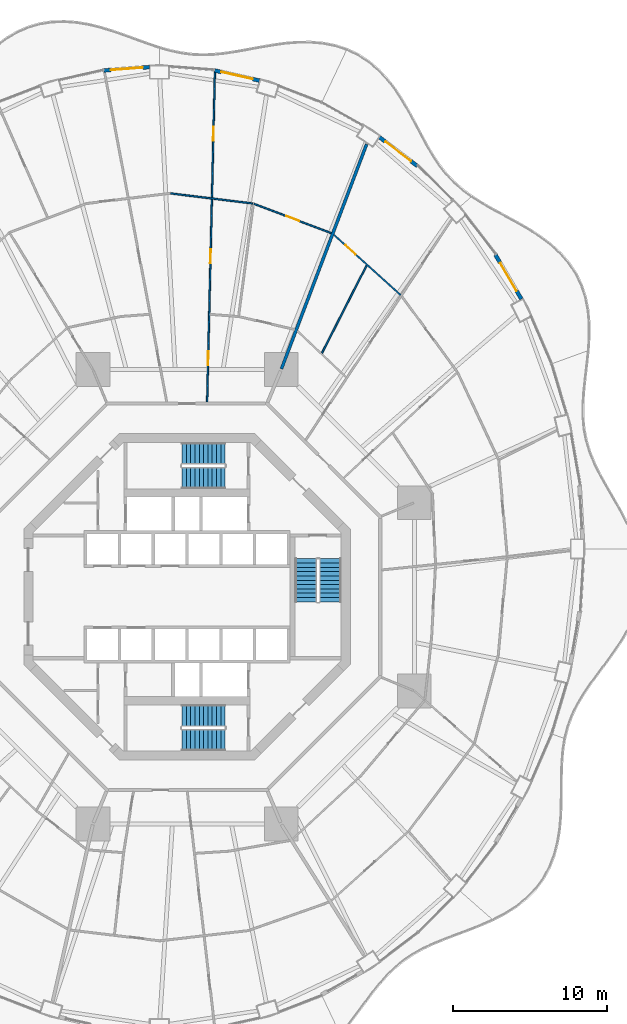
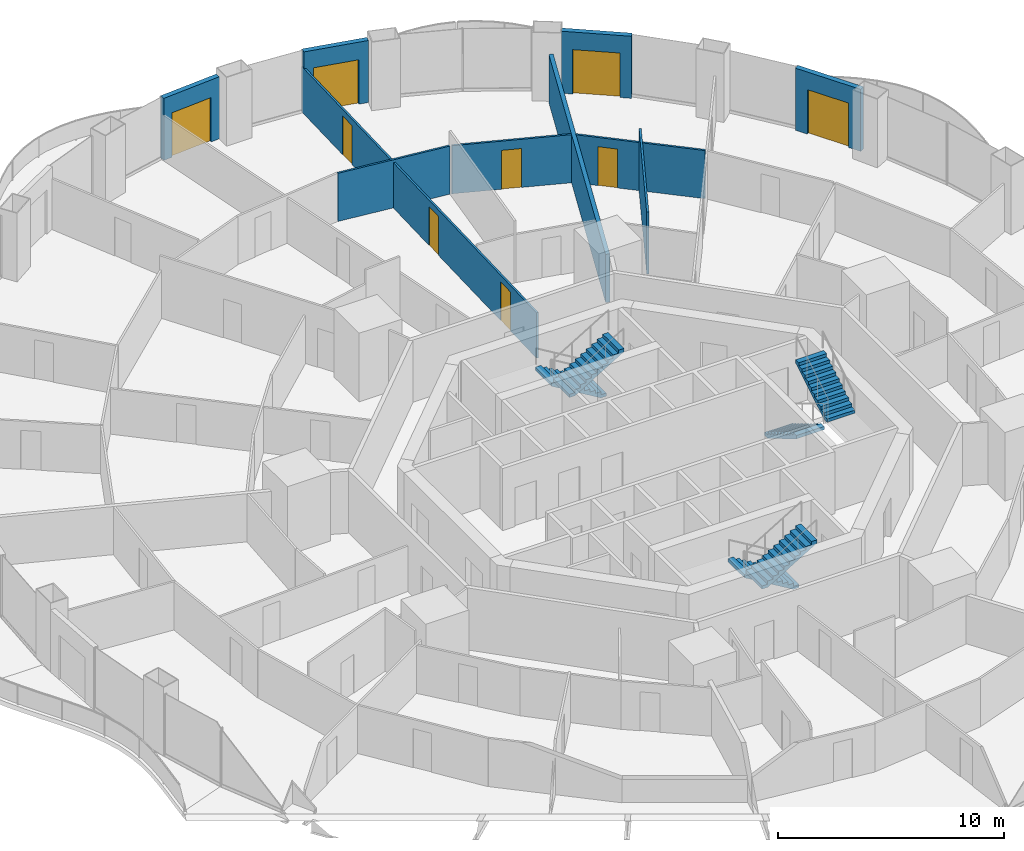
# One storey, part 20 of 23: 10 walls, 9 doors, 6 stair flights, 9 openings, 3 elements without a shape of their own.
"""IFC4 building model written with IfcOpenShell, lengths in metres."""

from ifc_helpers import new_model, si_unit, direction, frame, frame_2d, origin, place, context, subcontext, project, spatial, polyline, rectangle, outline, extrude, material, layer, layer_set, type_object, element, fill, aggregate, save


model = new_model("IFC4")

# Units and contexts
model_context = context("Model", 3, precision=1e-05, world=origin(), true_north=direction((0.0, 1.0)))
body_context = subcontext(model_context, "Body", "Model", "MODEL_VIEW")
ifc_project = project(units=[si_unit("LENGTHUNIT", "METRE"), si_unit("AREAUNIT", "SQUARE_METRE"), si_unit("VOLUMEUNIT", "CUBIC_METRE"), si_unit("PLANEANGLEUNIT", "RADIAN"), si_unit("MASSUNIT", "GRAM", prefix="KILO")], contexts=[model_context])

# Site, building, storey
site_placement = place(None, origin())
site = spatial("IfcSite", under=ifc_project, at=site_placement, CompositionType="ELEMENT")
building_placement = place(site_placement, origin())
building = spatial("IfcBuilding", under=site, at=building_placement, Name="Nagisa Residences", CompositionType="ELEMENT")
storey_placement = place(building_placement, frame((0.0, 0.0, 110.300048828125)))
storey = spatial("IfcBuildingStorey", under=building, at=storey_placement, Name="L27", CompositionType="ELEMENT", Elevation=110.300048828125)

# Wall
ifc_material_1 = material(Name="Gypsum board on steel studs", Category="steel")
ifc_layer_1 = layer(ifc_material_1, 0.199951171875)
ifc_layer_set_1 = layer_set([ifc_layer_1], Name="Apartment compartment wall EI60 200")
wall_type_1 = type_object("IfcWallType", Name="Apartment compartment wall EI60 200", PredefinedType="PARTITIONING", material=ifc_layer_set_1)
wall_1_placement = place(storey_placement, frame((6.140625, 14.828857421875, 0.0), z_axis=(0.0, 0.0, 1.0), x_axis=(0.354477134193, 0.935064682968, 0.0)))
element("IfcWall", 1, at=wall_1_placement, inside=storey, type_object=wall_type_1, Name="wall:L27:u01", PredefinedType="PARTITIONING", context=body_context, shape_type="SweptSolid", body=[
    extrude(rectangle(XDim=15.6259765625, YDim=0.199951171875, at=frame_2d((7.81298828125, 0.0))), origin(), (0.0, 0.0, 1.0), 2.596923828125),
])

# Wall, opening, door
ifc_material_2 = material(Name="Gypsum board on steel studs", Category="steel")
ifc_layer_2 = layer(ifc_material_2, 0.10009765625)
ifc_layer_set_2 = layer_set([ifc_layer_2], Name="Apartment partition 100")
wall_type_2 = type_object("IfcWallType", Name="Apartment partition 100", PredefinedType="PARTITIONING", material=ifc_layer_set_2)
wall_2_placement = place(storey_placement, frame((13.8984375, 19.625244140625, 0.0), z_axis=(0.0, 0.0, 1.0), x_axis=(-0.742396654702, 0.669960601146, 0.0)))
wall_2 = element("IfcWall", 2, at=wall_2_placement, inside=storey, type_object=wall_type_2, Name="wall:L27:u29", PredefinedType="PARTITIONING", context=body_context, shape_type="SweptSolid", body=[
    extrude(rectangle(XDim=5.861083984375, YDim=0.10009765625, at=frame_2d((2.9306640625, 0.0))), origin(), (0.0, 0.0, 1.0), 2.596923828125),
])
opening_1_placement = place(wall_2_placement, frame((3.95849609375, 0.0, 0.0)))
opening_1 = element("IfcOpeningElement", 3, at=opening_1_placement, cuts=wall_2, Name="Opening L27-U18", PredefinedType="OPENING", context=body_context, shape_type="SweptSolid", body=[
    extrude(rectangle(XDim=0.89990234375, YDim=2.10009765625, at=frame_2d((0.449951171875, 1.050048828125))), frame((0.0, 0.06005859375, 0.0), z_axis=(0.0, -1.0, 0.0), x_axis=(1.0, 0.0, 0.0)), (0.0, 0.0, 1.0), 0.1201171875),
])
ifc_material_3 = material(Name="Timber door set", Category="wood")
door_type_1 = type_object("IfcDoorType", Name="Apartment door 900x2100", OperationType="NOTDEFINED", PredefinedType="DOOR", material=ifc_material_3)
door_1_placement = place(opening_1_placement, origin())
door_1 = element("IfcDoor", 4, at=door_1_placement, inside=storey, type_object=door_type_1, Name="Door to en-suite bathroom, Apartment 27B", OperationType="SINGLE_SWING_RIGHT", OverallHeight=2.10009765625, OverallWidth=0.89990234375, PredefinedType="DOOR", context=body_context, shape_type="SweptSolid", body=[
    extrude(rectangle(XDim=0.89990234375, YDim=2.10009765625, at=frame_2d((0.449951171875, 1.050048828125))), frame((0.0, 0.02490234375, 0.0), z_axis=(0.0, -1.0, 0.0), x_axis=(1.0, 0.0, 0.0)), (0.0, 0.0, 1.0), 0.050048828125),
])
fill(opening_1, door_1)

# Wall
wall_3_placement = place(storey_placement, frame((8.769287109375, 15.84619140625, 0.0), z_axis=(0.0, 0.0, 1.0), x_axis=(0.454067187552, 0.890967445639, 0.0)))
element("IfcWall", 5, at=wall_3_placement, inside=storey, type_object=wall_type_2, Name="wall:L27:u30", PredefinedType="PARTITIONING", context=body_context, shape_type="SweptSolid", body=[
    extrude(rectangle(XDim=6.413818359375, YDim=0.10009765625, at=frame_2d((3.20703125, 0.0))), origin(), (0.0, 0.0, 1.0), 3.349853515625),
])

# Wall, opening, door
wall_4_placement = place(storey_placement, frame((9.37939453125, 23.654541015625, 0.0), z_axis=(0.0, 0.0, 1.0), x_axis=(-0.934613076136, 0.355666132653, 0.0)))
wall_4 = element("IfcWall", 6, at=wall_4_placement, inside=storey, type_object=wall_type_2, Name="wall:L27:u32", PredefinedType="PARTITIONING", context=body_context, shape_type="SweptSolid", body=[
    extrude(rectangle(XDim=5.366455078125, YDim=0.10009765625, at=frame_2d((2.68310546875, 0.0))), origin(), (0.0, 0.0, 1.0), 2.596923828125),
])
opening_2_placement = place(wall_4_placement, frame((2.2333984375, 0.0, 0.0)))
opening_2 = element("IfcOpeningElement", 7, at=opening_2_placement, cuts=wall_4, Name="Opening L27-U35", PredefinedType="OPENING", context=body_context, shape_type="SweptSolid", body=[
    extrude(rectangle(XDim=0.89990234375, YDim=2.10009765625, at=frame_2d((0.449951171875, 1.050048828125))), frame((0.0, 0.06005859375, 0.0), z_axis=(0.0, -1.0, 0.0), x_axis=(1.0, 0.0, 0.0)), (0.0, 0.0, 1.0), 0.1201171875),
])
door_2_placement = place(opening_2_placement, frame((0.89990234375, 0.0, 0.0), x_axis=(-1.0, 0.0, 0.0)))
door_2 = element("IfcDoor", 8, at=door_2_placement, inside=storey, type_object=door_type_1, Name="Door to family room, Apartment 27C", OperationType="SINGLE_SWING_RIGHT", OverallHeight=2.10009765625, OverallWidth=0.89990234375, PredefinedType="DOOR", context=body_context, shape_type="SweptSolid", body=[
    extrude(rectangle(XDim=0.89990234375, YDim=2.10009765625, at=frame_2d((0.449951171875, 1.050048828125))), frame((0.0, 0.02490234375, 0.0), z_axis=(0.0, -1.0, 0.0), x_axis=(1.0, 0.0, 0.0)), (0.0, 0.0, 1.0), 0.050048828125),
])
fill(opening_2, door_2)

# Wall
wall_5_placement = place(storey_placement, frame((4.267333984375, 25.587158203125, 0.0), z_axis=(0.0, 0.0, 1.0), x_axis=(-0.992576206119, 0.121624319302, 0.0)))
element("IfcWall", 9, at=wall_5_placement, inside=storey, type_object=wall_type_2, Name="wall:L27:u35", PredefinedType="PARTITIONING", context=body_context, shape_type="SweptSolid", body=[
    extrude(rectangle(XDim=5.37353515625, YDim=0.10009765625, at=frame_2d((2.686767578125, 0.0))), origin(), (0.0, 0.0, 1.0), 2.596923828125),
])

# Wall, openings, doors
wall_6_placement = place(storey_placement, frame((1.303466796875, 12.664794921875, 0.0), z_axis=(0.0, 0.0, 1.0), x_axis=(0.023564110689, 0.999722327793, 0.0)))
wall_6 = element("IfcWall", 10, at=wall_6_placement, inside=storey, type_object=wall_type_2, Name="wall:L27:u36", PredefinedType="PARTITIONING", context=body_context, shape_type="SweptSolid", body=[
    extrude(rectangle(XDim=21.664306640625, YDim=0.10009765625, at=frame_2d((10.83203125, 0.0))), origin(), (0.0, 0.0, 1.0), 2.447021484375),
])
opening_3_placement = place(wall_6_placement, frame((2.407470703125, 0.0, 0.0)))
opening_3 = element("IfcOpeningElement", 11, at=opening_3_placement, cuts=wall_6, Name="Opening L27-U26", PredefinedType="OPENING", context=body_context, shape_type="SweptSolid", body=[
    extrude(rectangle(XDim=0.89990234375, YDim=2.10009765625, at=frame_2d((0.449951171875, 1.050048828125))), frame((0.0, 0.06005859375, 0.0), z_axis=(0.0, -1.0, 0.0), x_axis=(1.0, 0.0, 0.0)), (0.0, 0.0, 1.0), 0.1201171875),
])
opening_4_placement = place(wall_6_placement, frame((9.03369140625, 0.0, 0.0)))
opening_4 = element("IfcOpeningElement", 12, at=opening_4_placement, cuts=wall_6, Name="Opening L27-U31", PredefinedType="OPENING", context=body_context, shape_type="SweptSolid", body=[
    extrude(rectangle(XDim=0.89990234375, YDim=2.10009765625, at=frame_2d((0.449951171875, 1.050048828125))), frame((0.0, 0.06005859375, 0.0), z_axis=(0.0, -1.0, 0.0), x_axis=(1.0, 0.0, 0.0)), (0.0, 0.0, 1.0), 0.1201171875),
])
opening_5_placement = place(wall_6_placement, frame((17.008544921875, 0.0, 0.0)))
opening_5 = element("IfcOpeningElement", 13, at=opening_5_placement, cuts=wall_6, Name="Opening L27-U36", PredefinedType="OPENING", context=body_context, shape_type="SweptSolid", body=[
    extrude(rectangle(XDim=0.89990234375, YDim=2.10009765625, at=frame_2d((0.449951171875, 1.050048828125))), frame((0.0, 0.06005859375, 0.0), z_axis=(0.0, -1.0, 0.0), x_axis=(1.0, 0.0, 0.0)), (0.0, 0.0, 1.0), 0.1201171875),
])
door_3_placement = place(opening_3_placement, frame((0.89990234375, 0.0, 0.0), x_axis=(-1.0, 0.0, 0.0)))
door_3 = element("IfcDoor", 14, at=door_3_placement, inside=storey, type_object=door_type_1, Name="Door to store, Apartment 27C", OperationType="SINGLE_SWING_LEFT", OverallHeight=2.10009765625, OverallWidth=0.89990234375, PredefinedType="DOOR", context=body_context, shape_type="SweptSolid", body=[
    extrude(rectangle(XDim=0.89990234375, YDim=2.10009765625, at=frame_2d((0.449951171875, 1.050048828125))), frame((0.0, 0.02490234375, 0.0), z_axis=(0.0, -1.0, 0.0), x_axis=(1.0, 0.0, 0.0)), (0.0, 0.0, 1.0), 0.050048828125),
])
fill(opening_3, door_3)
door_4_placement = place(opening_4_placement, frame((0.89990234375, 0.0, 0.0), x_axis=(-1.0, 0.0, 0.0)))
door_4 = element("IfcDoor", 15, at=door_4_placement, inside=storey, type_object=door_type_1, Name="Door to family bathroom, Apartment 27C", OperationType="SINGLE_SWING_RIGHT", OverallHeight=2.10009765625, OverallWidth=0.89990234375, PredefinedType="DOOR", context=body_context, shape_type="SweptSolid", body=[
    extrude(rectangle(XDim=0.89990234375, YDim=2.10009765625, at=frame_2d((0.449951171875, 1.050048828125))), frame((0.0, 0.02490234375, 0.0), z_axis=(0.0, -1.0, 0.0), x_axis=(1.0, 0.0, 0.0)), (0.0, 0.0, 1.0), 0.050048828125),
])
fill(opening_4, door_4)
door_5_placement = place(opening_5_placement, origin())
door_5 = element("IfcDoor", 16, at=door_5_placement, inside=storey, type_object=door_type_1, Name="Door to master bedroom, Apartment 27C", OperationType="SINGLE_SWING_RIGHT", OverallHeight=2.10009765625, OverallWidth=0.89990234375, PredefinedType="DOOR", context=body_context, shape_type="SweptSolid", body=[
    extrude(rectangle(XDim=0.89990234375, YDim=2.10009765625, at=frame_2d((0.449951171875, 1.050048828125))), frame((0.0, 0.02490234375, 0.0), z_axis=(0.0, -1.0, 0.0), x_axis=(1.0, 0.0, 0.0)), (0.0, 0.0, 1.0), 0.050048828125),
])
fill(opening_5, door_5)

# Wall, opening, door
ifc_material_4 = material(Name="Precast concrete C40/50", Category="concrete")
ifc_layer_3 = layer(ifc_material_4, 0.25)
ifc_layer_set_3 = layer_set([ifc_layer_3], Name="BALCONY DOOR WALL 250")
wall_type_3 = type_object("IfcWallType", Name="BALCONY DOOR WALL 250", PredefinedType="SOLIDWALL", material=ifc_layer_set_3)
wall_7_placement = place(storey_placement, frame((20.064208984375, 22.239501953125, 0.0), z_axis=(0.0, 0.0, 1.0), x_axis=(0.506297921217, -0.862358634775, 0.0)))
wall_7 = element("IfcWall", 17, at=wall_7_placement, inside=storey, type_object=wall_type_3, Name="wall:L27:bay04", PredefinedType="SOLIDWALL", context=body_context, shape_type="SweptSolid", body=[
    extrude(rectangle(XDim=3.32470703125, YDim=0.25, at=frame_2d((1.662353515625, 0.0))), origin(), (0.0, 0.0, 1.0), 3.349853515625),
])
opening_6_placement = place(wall_7_placement, frame((0.6123046875, 0.0, 0.0)))
opening_6 = element("IfcOpeningElement", 18, at=opening_6_placement, cuts=wall_7, Name="Opening BD-L27-02", PredefinedType="OPENING", context=body_context, shape_type="SweptSolid", body=[
    extrude(rectangle(XDim=2.10009765625, YDim=2.39990234375, at=frame_2d((1.050048828125, 1.199951171875))), frame((0.0, 0.135009765625, 0.0), z_axis=(0.0, -1.0, 0.0), x_axis=(1.0, 0.0, 0.0)), (0.0, 0.0, 1.0), 0.27001953125),
])
ifc_material_5 = material(Name="Aluminium and clear glass", Category="aluminium")
door_type_2 = type_object("IfcDoorType", Name="BALCONY SLIDING DOOR 2100x2400", OperationType="SLIDING_TO_LEFT", PredefinedType="DOOR", material=ifc_material_5)
door_6_placement = place(opening_6_placement, origin())
door_6 = element("IfcDoor", 19, at=door_6_placement, inside=storey, type_object=door_type_2, Name="door:L27:bay04", OperationType="SLIDING_TO_LEFT", OverallHeight=2.39990234375, OverallWidth=2.10009765625, PredefinedType="DOOR", context=body_context, shape_type="SweptSolid", body=[
    extrude(rectangle(XDim=2.10009765625, YDim=2.39990234375, at=frame_2d((1.050048828125, 1.199951171875))), frame((0.0, 0.02490234375, 0.0), z_axis=(0.0, -1.0, 0.0), x_axis=(1.0, 0.0, 0.0)), (0.0, 0.0, 1.0), 0.050048828125),
])
fill(opening_6, door_6)

wall_8_placement = place(storey_placement, frame((12.4892578125, 29.91748046875, 0.0), z_axis=(0.0, 0.0, 1.0), x_axis=(0.796037575978, -0.605247203736, 0.0)))
wall_8 = element("IfcWall", 20, at=wall_8_placement, inside=storey, type_object=wall_type_3, Name="wall:L27:bay07", PredefinedType="SOLIDWALL", context=body_context, shape_type="SweptSolid", body=[
    extrude(rectangle(XDim=3.1337890625, YDim=0.25, at=frame_2d((1.56689453125, 0.0))), origin(), (0.0, 0.0, 1.0), 3.349853515625),
])
opening_7_placement = place(wall_8_placement, frame((0.51708984375, 0.0, 0.0)))
opening_7 = element("IfcOpeningElement", 21, at=opening_7_placement, cuts=wall_8, Name="Opening BD-L27-03", PredefinedType="OPENING", context=body_context, shape_type="SweptSolid", body=[
    extrude(rectangle(XDim=2.10009765625, YDim=2.39990234375, at=frame_2d((1.050048828125, 1.199951171875))), frame((0.0, 0.135009765625, 0.0), z_axis=(0.0, -1.0, 0.0), x_axis=(1.0, 0.0, 0.0)), (0.0, 0.0, 1.0), 0.27001953125),
])
door_7_placement = place(opening_7_placement, origin())
door_7 = element("IfcDoor", 22, at=door_7_placement, inside=storey, type_object=door_type_2, Name="door:L27:bay07", OperationType="SLIDING_TO_LEFT", OverallHeight=2.39990234375, OverallWidth=2.10009765625, PredefinedType="DOOR", context=body_context, shape_type="SweptSolid", body=[
    extrude(rectangle(XDim=2.10009765625, YDim=2.39990234375, at=frame_2d((1.050048828125, 1.199951171875))), frame((0.0, 0.02490234375, 0.0), z_axis=(0.0, -1.0, 0.0), x_axis=(1.0, 0.0, 0.0)), (0.0, 0.0, 1.0), 0.050048828125),
])
fill(opening_7, door_7)

wall_9_placement = place(storey_placement, frame((1.787353515625, 34.2412109375, 0.0), z_axis=(0.0, 0.0, 1.0), x_axis=(0.975317607872, -0.220806620767, 0.0)))
wall_9 = element("IfcWall", 23, at=wall_9_placement, inside=storey, type_object=wall_type_3, Name="wall:L27:bay10", PredefinedType="SOLIDWALL", context=body_context, shape_type="SweptSolid", body=[
    extrude(rectangle(XDim=2.9931640625, YDim=0.25, at=frame_2d((1.49658203125, 0.0))), origin(), (0.0, 0.0, 1.0), 3.349853515625),
])
opening_8_placement = place(wall_9_placement, frame((0.446533203125, 0.0, 0.0)))
opening_8 = element("IfcOpeningElement", 24, at=opening_8_placement, cuts=wall_9, Name="Opening BD-L27-04", PredefinedType="OPENING", context=body_context, shape_type="SweptSolid", body=[
    extrude(rectangle(XDim=2.10009765625, YDim=2.39990234375, at=frame_2d((1.050048828125, 1.199951171875))), frame((0.0, 0.135009765625, 0.0), z_axis=(0.0, -1.0, 0.0), x_axis=(1.0, 0.0, 0.0)), (0.0, 0.0, 1.0), 0.27001953125),
])
door_8_placement = place(opening_8_placement, origin())
door_8 = element("IfcDoor", 25, at=door_8_placement, inside=storey, type_object=door_type_2, Name="door:L27:bay10", OperationType="SLIDING_TO_LEFT", OverallHeight=2.39990234375, OverallWidth=2.10009765625, PredefinedType="DOOR", context=body_context, shape_type="SweptSolid", body=[
    extrude(rectangle(XDim=2.10009765625, YDim=2.39990234375, at=frame_2d((1.050048828125, 1.199951171875))), frame((0.0, 0.02490234375, 0.0), z_axis=(0.0, -1.0, 0.0), x_axis=(1.0, 0.0, 0.0)), (0.0, 0.0, 1.0), 0.050048828125),
])
fill(opening_8, door_8)

wall_10_placement = place(storey_placement, frame((-5.405517578125, 34.238525390625, 0.0), z_axis=(0.0, 0.0, 1.0), x_axis=(0.997231808538, 0.074355363224, 0.0)))
wall_10 = element("IfcWall", 26, at=wall_10_placement, inside=storey, type_object=wall_type_3, Name="wall:L27:bay12", PredefinedType="SOLIDWALL", context=body_context, shape_type="SweptSolid", body=[
    extrude(rectangle(XDim=2.974853515625, YDim=0.25, at=frame_2d((1.4873046875, 0.0))), origin(), (0.0, 0.0, 1.0), 3.349853515625),
])
opening_9_placement = place(wall_10_placement, frame((0.4375, 0.0, 0.0)))
opening_9 = element("IfcOpeningElement", 27, at=opening_9_placement, cuts=wall_10, Name="Opening BD-L27-05", PredefinedType="OPENING", context=body_context, shape_type="SweptSolid", body=[
    extrude(rectangle(XDim=2.10009765625, YDim=2.39990234375, at=frame_2d((1.050048828125, 1.199951171875))), frame((0.0, 0.135009765625, 0.0), z_axis=(0.0, -1.0, 0.0), x_axis=(1.0, 0.0, 0.0)), (0.0, 0.0, 1.0), 0.27001953125),
])
door_9_placement = place(opening_9_placement, origin())
door_9 = element("IfcDoor", 28, at=door_9_placement, inside=storey, type_object=door_type_2, Name="door:L27:bay12", OperationType="SLIDING_TO_LEFT", OverallHeight=2.39990234375, OverallWidth=2.10009765625, PredefinedType="DOOR", context=body_context, shape_type="SweptSolid", body=[
    extrude(rectangle(XDim=2.10009765625, YDim=2.39990234375, at=frame_2d((1.050048828125, 1.199951171875))), frame((0.0, 0.02490234375, 0.0), z_axis=(0.0, -1.0, 0.0), x_axis=(1.0, 0.0, 0.0)), (0.0, 0.0, 1.0), 0.050048828125),
])
fill(opening_9, door_9)

# Stair, stair flights
ifc_material_6 = material(Name="Concrete C60", Category="concrete")
stair_type = type_object("IfcStairType", Name="Exit stair", PredefinedType="HALF_TURN_STAIR", material=ifc_material_6)
stair_1_placement = place(storey_placement, origin())
stair_1 = element("IfcStair", 29, at=stair_1_placement, inside=storey, type_object=stair_type, Name="L27 Exit stair E", PredefinedType="HALF_TURN_STAIR")
ifc_material_7 = material(Name="Concrete C60", Category="concrete")
stair_flight_type = type_object("IfcStairFlightType", Name="Exit stair flight", PredefinedType="STRAIGHT", material=ifc_material_7)
stair_flight_1_placement = place(storey_placement, frame((7.737060546875, 2.47509765625, 0.0), z_axis=(0.0, 0.0, 1.0), x_axis=(0.0, -1.0, 0.0)))
stair_flight_1 = element("IfcStairFlight", 30, at=stair_flight_1_placement, type_object=stair_flight_type, Name="ST-E flight 1", NumberOfRisers=11, NumberOfTreads=10, PredefinedType="STRAIGHT", RiserHeight=0.168181818, TreadLength=0.28, context=body_context, shape_type="SweptSolid", body=[
    extrude(outline(polyline([(0.0, 0.0), (0.0, 0.168212890625), (0.280029296875, 0.168212890625), (0.280029296875, 0.33642578125), (0.56005859375, 0.33642578125), (0.56005859375, 0.504638671875), (0.840087890625, 0.504638671875), (0.840087890625, 0.672607421875), (1.1201171875, 0.672607421875), (1.1201171875, 0.8408203125), (1.39990234375, 0.8408203125), (1.39990234375, 1.009033203125), (1.679931640625, 1.009033203125), (1.679931640625, 1.17724609375), (1.9599609375, 1.17724609375), (1.9599609375, 1.345458984375), (2.239990234375, 1.345458984375), (2.239990234375, 1.513671875), (2.52001953125, 1.513671875), (2.52001953125, 1.681884765625), (2.800048828125, 1.681884765625), (2.800048828125, 1.85009765625), (2.800048828125, 1.5068359375), (0.291015625, 0.0), (0.0, 0.0)])), frame((0.0, 0.71240234375, 0.0), z_axis=(0.0, -1.0, 0.0), x_axis=(1.0, 0.0, 0.0)), (0.0, 0.0, 1.0), 1.425048828125),
])
stair_flight_2_placement = place(storey_placement, frame((9.31201171875, -0.324951171875, 1.849853515625), z_axis=(0.0, 0.0, 1.0), x_axis=(0.0, 1.0, 0.0)))
stair_flight_2 = element("IfcStairFlight", 31, at=stair_flight_2_placement, type_object=stair_flight_type, Name="ST-E flight 2", NumberOfRisers=11, NumberOfTreads=10, PredefinedType="STRAIGHT", RiserHeight=0.168181818, TreadLength=0.28, context=body_context, shape_type="SweptSolid", body=[
    extrude(outline(polyline([(0.0, 0.0), (0.0, 0.168212890625), (0.280029296875, 0.168212890625), (0.280029296875, 0.33642578125), (0.56005859375, 0.33642578125), (0.56005859375, 0.504638671875), (0.840087890625, 0.504638671875), (0.840087890625, 0.672607421875), (1.1201171875, 0.672607421875), (1.1201171875, 0.8408203125), (1.39990234375, 0.8408203125), (1.39990234375, 1.009033203125), (1.679931640625, 1.009033203125), (1.679931640625, 1.17724609375), (1.9599609375, 1.17724609375), (1.9599609375, 1.345458984375), (2.239990234375, 1.345458984375), (2.239990234375, 1.513671875), (2.52001953125, 1.513671875), (2.52001953125, 1.681884765625), (2.800048828125, 1.681884765625), (2.800048828125, 1.85009765625), (2.800048828125, 1.5068359375), (0.291015625, 0.0), (0.0, 0.0)])), frame((0.0, 0.71240234375, 0.0), z_axis=(0.0, -1.0, 0.0), x_axis=(1.0, 0.0, 0.0)), (0.0, 0.0, 1.0), 1.425048828125),
])
aggregate(stair_1, [stair_flight_1, stair_flight_2])

stair_2_placement = place(storey_placement, origin())
stair_2 = element("IfcStair", 32, at=stair_2_placement, inside=storey, type_object=stair_type, Name="L27 Exit stair N", PredefinedType="HALF_TURN_STAIR")
stair_flight_3_placement = place(storey_placement, frame((2.47509765625, 9.31201171875, 0.0), z_axis=(0.0, 0.0, 1.0), x_axis=(-1.0, 0.0, 0.0)))
stair_flight_3 = element("IfcStairFlight", 33, at=stair_flight_3_placement, type_object=stair_flight_type, Name="ST-N flight 1", NumberOfRisers=11, NumberOfTreads=10, PredefinedType="STRAIGHT", RiserHeight=0.168181818, TreadLength=0.28, context=body_context, shape_type="SweptSolid", body=[
    extrude(outline(polyline([(0.0, 0.0), (0.0, 0.168212890625), (0.280029296875, 0.168212890625), (0.280029296875, 0.33642578125), (0.56005859375, 0.33642578125), (0.56005859375, 0.504638671875), (0.840087890625, 0.504638671875), (0.840087890625, 0.672607421875), (1.1201171875, 0.672607421875), (1.1201171875, 0.8408203125), (1.39990234375, 0.8408203125), (1.39990234375, 1.009033203125), (1.679931640625, 1.009033203125), (1.679931640625, 1.17724609375), (1.9599609375, 1.17724609375), (1.9599609375, 1.345458984375), (2.239990234375, 1.345458984375), (2.239990234375, 1.513671875), (2.52001953125, 1.513671875), (2.52001953125, 1.681884765625), (2.800048828125, 1.681884765625), (2.800048828125, 1.85009765625), (2.800048828125, 1.5068359375), (0.291015625, 0.0), (0.0, 0.0)])), frame((0.0, 0.71240234375, 0.0), z_axis=(0.0, -1.0, 0.0), x_axis=(1.0, 0.0, 0.0)), (0.0, 0.0, 1.0), 1.425048828125),
])
stair_flight_4_placement = place(storey_placement, frame((-0.324951171875, 7.737060546875, 1.849853515625), z_axis=(0.0, 0.0, 1.0), x_axis=(1.0, 0.0, 0.0)))
stair_flight_4 = element("IfcStairFlight", 34, at=stair_flight_4_placement, type_object=stair_flight_type, Name="ST-N flight 2", NumberOfRisers=11, NumberOfTreads=10, PredefinedType="STRAIGHT", RiserHeight=0.168181818, TreadLength=0.28, context=body_context, shape_type="SweptSolid", body=[
    extrude(outline(polyline([(0.0, 0.0), (0.0, 0.168212890625), (0.280029296875, 0.168212890625), (0.280029296875, 0.33642578125), (0.56005859375, 0.33642578125), (0.56005859375, 0.504638671875), (0.840087890625, 0.504638671875), (0.840087890625, 0.672607421875), (1.1201171875, 0.672607421875), (1.1201171875, 0.8408203125), (1.39990234375, 0.8408203125), (1.39990234375, 1.009033203125), (1.679931640625, 1.009033203125), (1.679931640625, 1.17724609375), (1.9599609375, 1.17724609375), (1.9599609375, 1.345458984375), (2.239990234375, 1.345458984375), (2.239990234375, 1.513671875), (2.52001953125, 1.513671875), (2.52001953125, 1.681884765625), (2.800048828125, 1.681884765625), (2.800048828125, 1.85009765625), (2.800048828125, 1.5068359375), (0.291015625, 0.0), (0.0, 0.0)])), frame((0.0, 0.71240234375, 0.0), z_axis=(0.0, -1.0, 0.0), x_axis=(1.0, 0.0, 0.0)), (0.0, 0.0, 1.0), 1.425048828125),
])
aggregate(stair_2, [stair_flight_3, stair_flight_4])

stair_3_placement = place(storey_placement, origin())
stair_3 = element("IfcStair", 35, at=stair_3_placement, inside=storey, type_object=stair_type, Name="L27 Exit stair S", PredefinedType="HALF_TURN_STAIR")
stair_flight_5_placement = place(storey_placement, frame((2.47509765625, -7.737060546875, 0.0), z_axis=(0.0, 0.0, 1.0), x_axis=(-1.0, 0.0, 0.0)))
stair_flight_5 = element("IfcStairFlight", 36, at=stair_flight_5_placement, type_object=stair_flight_type, Name="ST-S flight 1", NumberOfRisers=11, NumberOfTreads=10, PredefinedType="STRAIGHT", RiserHeight=0.168181818, TreadLength=0.28, context=body_context, shape_type="SweptSolid", body=[
    extrude(outline(polyline([(0.0, 0.0), (0.0, 0.168212890625), (0.280029296875, 0.168212890625), (0.280029296875, 0.33642578125), (0.56005859375, 0.33642578125), (0.56005859375, 0.504638671875), (0.840087890625, 0.504638671875), (0.840087890625, 0.672607421875), (1.1201171875, 0.672607421875), (1.1201171875, 0.8408203125), (1.39990234375, 0.8408203125), (1.39990234375, 1.009033203125), (1.679931640625, 1.009033203125), (1.679931640625, 1.17724609375), (1.9599609375, 1.17724609375), (1.9599609375, 1.345458984375), (2.239990234375, 1.345458984375), (2.239990234375, 1.513671875), (2.52001953125, 1.513671875), (2.52001953125, 1.681884765625), (2.800048828125, 1.681884765625), (2.800048828125, 1.85009765625), (2.800048828125, 1.5068359375), (0.291015625, 0.0), (0.0, 0.0)])), frame((0.0, 0.71240234375, 0.0), z_axis=(0.0, -1.0, 0.0), x_axis=(1.0, 0.0, 0.0)), (0.0, 0.0, 1.0), 1.425048828125),
])
stair_flight_6_placement = place(storey_placement, frame((-0.324951171875, -9.31201171875, 1.849853515625), z_axis=(0.0, 0.0, 1.0), x_axis=(1.0, 0.0, 0.0)))
stair_flight_6 = element("IfcStairFlight", 37, at=stair_flight_6_placement, type_object=stair_flight_type, Name="ST-S flight 2", NumberOfRisers=11, NumberOfTreads=10, PredefinedType="STRAIGHT", RiserHeight=0.168181818, TreadLength=0.28, context=body_context, shape_type="SweptSolid", body=[
    extrude(outline(polyline([(0.0, 0.0), (0.0, 0.168212890625), (0.280029296875, 0.168212890625), (0.280029296875, 0.33642578125), (0.56005859375, 0.33642578125), (0.56005859375, 0.504638671875), (0.840087890625, 0.504638671875), (0.840087890625, 0.672607421875), (1.1201171875, 0.672607421875), (1.1201171875, 0.8408203125), (1.39990234375, 0.8408203125), (1.39990234375, 1.009033203125), (1.679931640625, 1.009033203125), (1.679931640625, 1.17724609375), (1.9599609375, 1.17724609375), (1.9599609375, 1.345458984375), (2.239990234375, 1.345458984375), (2.239990234375, 1.513671875), (2.52001953125, 1.513671875), (2.52001953125, 1.681884765625), (2.800048828125, 1.681884765625), (2.800048828125, 1.85009765625), (2.800048828125, 1.5068359375), (0.291015625, 0.0), (0.0, 0.0)])), frame((0.0, 0.71240234375, 0.0), z_axis=(0.0, -1.0, 0.0), x_axis=(1.0, 0.0, 0.0)), (0.0, 0.0, 1.0), 1.425048828125),
])
aggregate(stair_3, [stair_flight_5, stair_flight_6])

save(model, "model.ifc")
